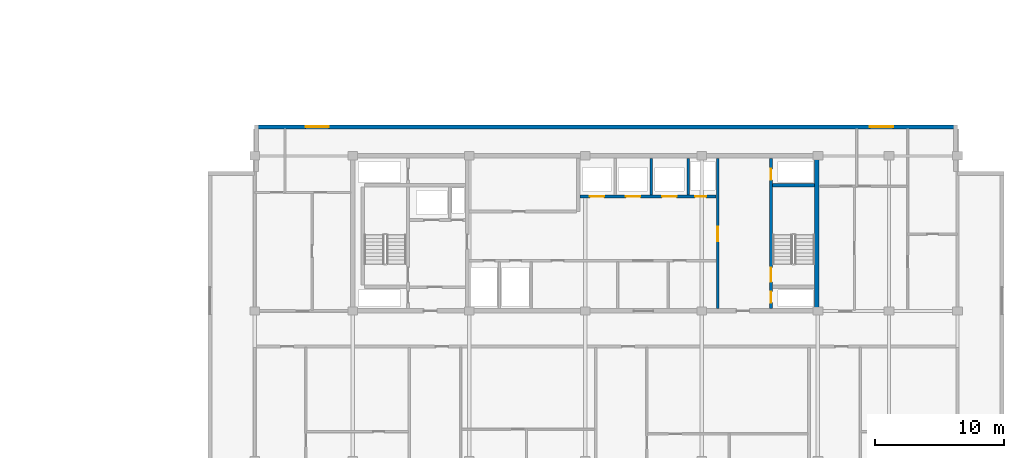
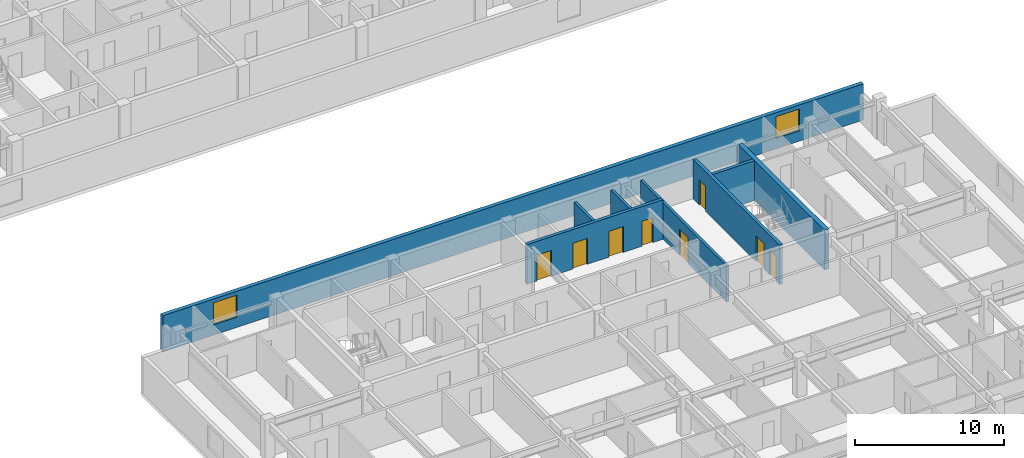
# One storey, part 7 of 21: 8 doors, 8 walls, 2 windows, 10 openings.
"""IFC4 building model written with IfcOpenShell, lengths in metres."""

from ifc_helpers import new_model, si_unit, direction, frame, frame_2d, origin, place, context, subcontext, project, spatial, rectangle, extrude, material, layer, layer_set, type_object, element, fill, save


model = new_model("IFC4")

# Units and contexts
model_context = context("Model", 3, precision=1e-05, world=origin(), true_north=direction((0.0, 1.0)))
body_context = subcontext(model_context, "Body", "Model", "MODEL_VIEW")
ifc_project = project(units=[si_unit("LENGTHUNIT", "METRE"), si_unit("AREAUNIT", "SQUARE_METRE"), si_unit("VOLUMEUNIT", "CUBIC_METRE"), si_unit("PLANEANGLEUNIT", "RADIAN"), si_unit("MASSUNIT", "GRAM", prefix="KILO")], contexts=[model_context])

# Site, building, storey
site_placement = place(None, origin())
site = spatial("IfcSite", under=ifc_project, at=site_placement, CompositionType="ELEMENT")
building_placement = place(site_placement, origin())
building = spatial("IfcBuilding", under=site, at=building_placement, Name="Korimba Cascade Residences", CompositionType="ELEMENT")
storey_placement = place(building_placement, frame((0.0, 0.0, 184.85009765625)))
storey = spatial("IfcBuildingStorey", under=building, at=storey_placement, Name="L53", CompositionType="ELEMENT", Elevation=184.85009765625)

# Wall, openings, windows
ifc_material_1 = material(Name="Precast concrete C40/50", Category="concrete")
ifc_layer_1 = layer(ifc_material_1, 0.300048828125)
ifc_layer_set_1 = layer_set([ifc_layer_1], Name="Precast concrete C40/50")
wall_type_1 = type_object("IfcWallType", Name="EW-STONE-300", PredefinedType="STANDARD", material=ifc_layer_set_1)
wall_1_placement = place(storey_placement, frame((128.89990234375, 32.64990234375, 0.0), z_axis=(0.0, 0.0, 1.0), x_axis=(-1.0, 0.0, 0.0)))
wall_1 = element("IfcWall", 1, at=wall_1_placement, inside=storey, type_object=wall_type_1, Name="L53 T2 Perimeter Stone Wall E06", PredefinedType="STANDARD", context=body_context, shape_type="SweptSolid", body=[
    extrude(rectangle(XDim=54.39990234375, YDim=0.300048828125, at=frame_2d((27.199951171875, 0.0))), origin(), (0.0, 0.0, 1.0), 2.969970703125),
])
opening_1_placement = place(wall_1_placement, frame((48.64990234375, 0.0, 0.85009765625)))
opening_1 = element("IfcOpeningElement", 2, at=opening_1_placement, cuts=wall_1, Name="Opening W-02", PredefinedType="OPENING", context=body_context, shape_type="SweptSolid", body=[
    extrude(rectangle(XDim=1.800048828125, YDim=1.800048828125, at=frame_2d((0.89990234375, 0.89990234375))), frame((0.0, 0.16015625, 0.0), z_axis=(0.0, -1.0, 0.0), x_axis=(1.0, 0.0, 0.0)), (0.0, 0.0, 1.0), 0.320068359375),
])
opening_2_placement = place(wall_1_placement, frame((4.97509765625, 0.0, 0.85009765625)))
opening_2 = element("IfcOpeningElement", 3, at=opening_2_placement, cuts=wall_1, Name="Opening W-02", PredefinedType="OPENING", context=body_context, shape_type="SweptSolid", body=[
    extrude(rectangle(XDim=1.800048828125, YDim=1.800048828125, at=frame_2d((0.89990234375, 0.89990234375))), frame((0.0, 0.16015625, 0.0), z_axis=(0.0, -1.0, 0.0), x_axis=(1.0, 0.0, 0.0)), (0.0, 0.0, 1.0), 0.320068359375),
])
ifc_material_2 = material(Name="Double-Glazed Aluminium Window", Category="aluminium")
window_type = type_object("IfcWindowType", Name="WIN-BED-1800", PartitioningType="SINGLE_PANEL", PredefinedType="WINDOW", material=ifc_material_2)
window_1_placement = place(opening_1_placement, origin())
window_1 = element("IfcWindow", 4, at=window_1_placement, inside=storey, type_object=window_type, Name="L53 T2 North Corner Bedroom Window 1", OverallHeight=1.800048828125, OverallWidth=1.800048828125, PartitioningType="SINGLE_PANEL", PredefinedType="WINDOW", context=body_context, shape_type="SweptSolid", body=[
    extrude(rectangle(XDim=1.800048828125, YDim=1.800048828125, at=frame_2d((0.89990234375, 0.89990234375))), frame((0.0, 0.030029296875, 0.0), z_axis=(0.0, -1.0, 0.0), x_axis=(1.0, 0.0, 0.0)), (0.0, 0.0, 1.0), 0.06005859375),
])
fill(opening_1, window_1)
window_2_placement = place(opening_2_placement, origin())
window_2 = element("IfcWindow", 5, at=window_2_placement, inside=storey, type_object=window_type, Name="L53 T2 North Corner Bedroom Window 2", OverallHeight=1.800048828125, OverallWidth=1.800048828125, PartitioningType="SINGLE_PANEL", PredefinedType="WINDOW", context=body_context, shape_type="SweptSolid", body=[
    extrude(rectangle(XDim=1.800048828125, YDim=1.800048828125, at=frame_2d((0.89990234375, 0.89990234375))), frame((0.0, 0.030029296875, 0.0), z_axis=(0.0, -1.0, 0.0), x_axis=(1.0, 0.0, 0.0)), (0.0, 0.0, 1.0), 0.06005859375),
])
fill(opening_2, window_2)

# Walls
ifc_material_3 = material(Name="Concrete C65/80", Category="concrete")
ifc_layer_2 = layer(ifc_material_3, 0.35009765625)
ifc_layer_set_2 = layer_set([ifc_layer_2], Name="Concrete C65/80")
wall_type_2 = type_object("IfcWallType", Name="WAL-CORE-350", PredefinedType="SHEAR", material=ifc_layer_set_2)
wall_2_placement = place(storey_placement, frame((118.014892578125, 18.574951171875, 0.0), z_axis=(0.0, 0.0, 1.0), x_axis=(0.0, 1.0, 0.0)))
element("IfcWall", 6, at=wall_2_placement, inside=storey, type_object=wall_type_2, Name="L53 Core Shear Wall CW-L53-T2-E", PredefinedType="SHEAR", context=body_context, shape_type="SweptSolid", body=[
    extrude(rectangle(XDim=11.650146484375, YDim=0.35009765625, at=frame_2d((5.8251953125, 0.0))), origin(), (0.0, 0.0, 1.0), 3.25),
])
ifc_material_4 = material(Name="Concrete C40/50", Category="concrete")
ifc_layer_3 = layer(ifc_material_4, 0.199951171875)
ifc_layer_set_3 = layer_set([ifc_layer_3], Name="Concrete C40/50")
wall_type_3 = type_object("IfcWallType", Name="WAL-PART-200", PredefinedType="PARTITIONING", material=ifc_layer_set_3)
for number, where, z_axis, x_axis, name in (
    (7, (105.199951171875, 27.3798828125, 0.0), (0.0, 0.0, 1.0), (0.0, 1.0, 0.0), "L53 Partition Wall CW-L53-T2-B2D2"),
    (8, (108.050048828125, 27.3798828125, 0.0), (0.0, 0.0, 1.0), (0.0, 1.0, 0.0), "L53 Partition Wall CW-L53-T2-B2D3"),
):
    element("IfcWall", number, at=place(storey_placement, frame(where, z_axis=z_axis, x_axis=x_axis)), inside=storey, type_object=wall_type_3, Name=name, PredefinedType="PARTITIONING", context=body_context, shape_type="SweptSolid", body=[
        extrude(rectangle(XDim=2.820068359375, YDim=0.199951171875, at=frame_2d((1.41015625, 0.0))), origin(), (0.0, 0.0, 1.0), 2.969970703125),
    ])

# Wall, opening, door
wall_3_placement = place(storey_placement, frame((110.35009765625, 18.60009765625, 0.0), z_axis=(0.0, 0.0, 1.0), x_axis=(0.0, 1.0, 0.0)))
wall_3 = element("IfcWall", 9, at=wall_3_placement, inside=storey, type_object=wall_type_3, Name="L53 Partition Wall CW-L53-T2-LLEV", PredefinedType="PARTITIONING", context=body_context, shape_type="SweptSolid", body=[
    extrude(rectangle(XDim=11.599853515625, YDim=0.199951171875, at=frame_2d((5.7998046875, 0.0))), origin(), (0.0, 0.0, 1.0), 2.969970703125),
])
opening_3_placement = place(wall_3_placement, frame((5.199951171875, 0.0, 0.0)))
opening_3 = element("IfcOpeningElement", 10, at=opening_3_placement, cuts=wall_3, Name="Opening D-FD6", PredefinedType="OPENING", context=body_context, shape_type="SweptSolid", body=[
    extrude(rectangle(XDim=1.10009765625, YDim=2.14990234375, at=frame_2d((0.550048828125, 1.074951171875))), frame((0.0, 0.10986328125, 0.0), z_axis=(0.0, -1.0, 0.0), x_axis=(1.0, 0.0, 0.0)), (0.0, 0.0, 1.0), 0.219970703125),
])
ifc_material_5 = material(Name="Fire-Rated Timber Stair Lobby Door", Category="wood")
door_type_1 = type_object("IfcDoorType", Name="DR-FD90-1100", OperationType="NOTDEFINED", PredefinedType="DOOR", material=ifc_material_5)
door_1_placement = place(opening_3_placement, origin())
door_1 = element("IfcDoor", 11, at=door_1_placement, inside=storey, type_object=door_type_1, Name="L53 T2 Lift Lobby to East Stair Lobby Door", OperationType="SINGLE_SWING_RIGHT", OverallHeight=2.14990234375, OverallWidth=1.10009765625, PredefinedType="DOOR", context=body_context, shape_type="SweptSolid", body=[
    extrude(rectangle(XDim=1.10009765625, YDim=2.14990234375, at=frame_2d((0.550048828125, 1.074951171875))), frame((0.0, 0.02490234375, 0.0), z_axis=(0.0, -1.0, 0.0), x_axis=(1.0, 0.0, 0.0)), (0.0, 0.0, 1.0), 0.050048828125),
])
fill(opening_3, door_1)

# Wall, openings, doors
ifc_material_6 = material(Name="Concrete C50/60", Category="concrete")
ifc_layer_4 = layer(ifc_material_6, 0.25)
ifc_layer_set_4 = layer_set([ifc_layer_4], Name="Concrete C50/60")
wall_type_4 = type_object("IfcWallType", Name="WAL-SHAFT-250", PredefinedType="SHEAR", material=ifc_layer_set_4)
wall_4_placement = place(storey_placement, frame((99.679931640625, 27.25, 0.0), z_axis=(0.0, 0.0, 1.0), x_axis=(1.0, 0.0, 0.0)))
wall_4 = element("IfcWall", 12, at=wall_4_placement, inside=storey, type_object=wall_type_4, Name="L53 Core Shear Wall CW-L53-T2-B2S", PredefinedType="SHEAR", context=body_context, shape_type="SweptSolid", body=[
    extrude(rectangle(XDim=10.5400390625, YDim=0.25, at=frame_2d((5.27001953125, 0.0))), origin(), (0.0, 0.0, 1.0), 3.25),
])
opening_4_placement = place(wall_4_placement, frame((0.760009765625, 0.0, 0.0)))
opening_4 = element("IfcOpeningElement", 13, at=opening_4_placement, cuts=wall_4, Name="Opening LD-01", PredefinedType="OPENING", context=body_context, shape_type="SweptSolid", body=[
    extrude(rectangle(XDim=1.1201171875, YDim=2.1201171875, at=frame_2d((0.56005859375, 1.06005859375))), frame((0.0, 0.135009765625, 0.0), z_axis=(0.0, -1.0, 0.0), x_axis=(1.0, 0.0, 0.0)), (0.0, 0.0, 1.0), 0.27001953125),
])
opening_5_placement = place(wall_4_placement, frame((3.56005859375, 0.0, 0.0)))
opening_5 = element("IfcOpeningElement", 14, at=opening_5_placement, cuts=wall_4, Name="Opening LD-01", PredefinedType="OPENING", context=body_context, shape_type="SweptSolid", body=[
    extrude(rectangle(XDim=1.1201171875, YDim=2.1201171875, at=frame_2d((0.56005859375, 1.06005859375))), frame((0.0, 0.135009765625, 0.0), z_axis=(0.0, -1.0, 0.0), x_axis=(1.0, 0.0, 0.0)), (0.0, 0.0, 1.0), 0.27001953125),
])
opening_6_placement = place(wall_4_placement, frame((6.360107421875, 0.0, 0.0)))
opening_6 = element("IfcOpeningElement", 15, at=opening_6_placement, cuts=wall_4, Name="Opening LD-01", PredefinedType="OPENING", context=body_context, shape_type="SweptSolid", body=[
    extrude(rectangle(XDim=1.1201171875, YDim=2.1201171875, at=frame_2d((0.56005859375, 1.06005859375))), frame((0.0, 0.135009765625, 0.0), z_axis=(0.0, -1.0, 0.0), x_axis=(1.0, 0.0, 0.0)), (0.0, 0.0, 1.0), 0.27001953125),
])
opening_7_placement = place(wall_4_placement, frame((8.919921875, 0.0, 0.0)))
opening_7 = element("IfcOpeningElement", 16, at=opening_7_placement, cuts=wall_4, Name="Opening D-RS1", PredefinedType="OPENING", context=body_context, shape_type="SweptSolid", body=[
    extrude(rectangle(XDim=0.85009765625, YDim=2.050048828125, at=frame_2d((0.425048828125, 1.02490234375))), frame((0.0, 0.135009765625, 0.0), z_axis=(0.0, -1.0, 0.0), x_axis=(1.0, 0.0, 0.0)), (0.0, 0.0, 1.0), 0.27001953125),
])
ifc_material_7 = material(Name="Fire-Rated Steel Riser Access Door", Category="steel")
door_type_2 = type_object("IfcDoorType", Name="DR-FD60-850", OperationType="NOTDEFINED", PredefinedType="DOOR", material=ifc_material_7)
door_2_placement = place(opening_7_placement, origin())
door_2 = element("IfcDoor", 17, at=door_2_placement, inside=storey, type_object=door_type_2, Name="L53 T2 Duct Door", OperationType="SINGLE_SWING_LEFT", OverallHeight=2.050048828125, OverallWidth=0.85009765625, PredefinedType="DOOR", context=body_context, shape_type="SweptSolid", body=[
    extrude(rectangle(XDim=0.85009765625, YDim=2.050048828125, at=frame_2d((0.425048828125, 1.02490234375))), frame((0.0, 0.02490234375, 0.0), z_axis=(0.0, -1.0, 0.0), x_axis=(1.0, 0.0, 0.0)), (0.0, 0.0, 1.0), 0.050048828125),
])
fill(opening_7, door_2)
ifc_material_8 = material(Name="Stainless Steel Lift Landing Sliding Door", Category="steel")
door_type_3 = type_object("IfcDoorType", Name="DR-LIFT-1100", OperationType="NOTDEFINED", PredefinedType="DOOR", material=ifc_material_8)
door_3_placement = place(opening_4_placement, origin())
door_3 = element("IfcDoor", 18, at=door_3_placement, inside=storey, type_object=door_type_3, Name="L53 Lift Landing Door PL-E4", OperationType="SLIDING_TO_RIGHT", OverallHeight=2.1201171875, OverallWidth=1.1201171875, PredefinedType="DOOR", context=body_context, shape_type="SweptSolid", body=[
    extrude(rectangle(XDim=1.1201171875, YDim=2.1201171875, at=frame_2d((0.56005859375, 1.06005859375))), frame((0.0, 0.02490234375, 0.0), z_axis=(0.0, -1.0, 0.0), x_axis=(1.0, 0.0, 0.0)), (0.0, 0.0, 1.0), 0.050048828125),
])
fill(opening_4, door_3)
door_4_placement = place(opening_5_placement, origin())
door_4 = element("IfcDoor", 19, at=door_4_placement, inside=storey, type_object=door_type_3, Name="L53 Lift Landing Door PL-E5", OperationType="SLIDING_TO_RIGHT", OverallHeight=2.1201171875, OverallWidth=1.1201171875, PredefinedType="DOOR", context=body_context, shape_type="SweptSolid", body=[
    extrude(rectangle(XDim=1.1201171875, YDim=2.1201171875, at=frame_2d((0.56005859375, 1.06005859375))), frame((0.0, 0.02490234375, 0.0), z_axis=(0.0, -1.0, 0.0), x_axis=(1.0, 0.0, 0.0)), (0.0, 0.0, 1.0), 0.050048828125),
])
fill(opening_5, door_4)
door_5_placement = place(opening_6_placement, origin())
door_5 = element("IfcDoor", 20, at=door_5_placement, inside=storey, type_object=door_type_3, Name="L53 Lift Landing Door PL-E6", OperationType="SLIDING_TO_RIGHT", OverallHeight=2.1201171875, OverallWidth=1.1201171875, PredefinedType="DOOR", context=body_context, shape_type="SweptSolid", body=[
    extrude(rectangle(XDim=1.1201171875, YDim=2.1201171875, at=frame_2d((0.56005859375, 1.06005859375))), frame((0.0, 0.02490234375, 0.0), z_axis=(0.0, -1.0, 0.0), x_axis=(1.0, 0.0, 0.0)), (0.0, 0.0, 1.0), 0.050048828125),
])
fill(opening_6, door_5)

wall_5_placement = place(storey_placement, frame((114.47509765625, 18.60009765625, 0.0), z_axis=(0.0, 0.0, 1.0), x_axis=(0.0, 1.0, 0.0)))
wall_5 = element("IfcWall", 21, at=wall_5_placement, inside=storey, type_object=wall_type_4, Name="L53 Core Shear Wall CW-L53-T2-STE2W", PredefinedType="SHEAR", context=body_context, shape_type="SweptSolid", body=[
    extrude(rectangle(XDim=11.599853515625, YDim=0.25, at=frame_2d((5.7998046875, 0.0))), origin(), (0.0, 0.0, 1.0), 3.25),
])
opening_8_placement = place(wall_5_placement, frame((0.449951171875, 0.0, 0.0)))
opening_8 = element("IfcOpeningElement", 22, at=opening_8_placement, cuts=wall_5, Name="Opening D-RS1", PredefinedType="OPENING", context=body_context, shape_type="SweptSolid", body=[
    extrude(rectangle(XDim=0.85009765625, YDim=2.050048828125, at=frame_2d((0.425048828125, 1.02490234375))), frame((0.0, 0.135009765625, 0.0), z_axis=(0.0, -1.0, 0.0), x_axis=(1.0, 0.0, 0.0)), (0.0, 0.0, 1.0), 0.27001953125),
])
opening_9_placement = place(wall_5_placement, frame((2.050048828125, 0.0, 0.0)))
opening_9 = element("IfcOpeningElement", 23, at=opening_9_placement, cuts=wall_5, Name="Opening D-FD1", PredefinedType="OPENING", context=body_context, shape_type="SweptSolid", body=[
    extrude(rectangle(XDim=1.10009765625, YDim=2.10009765625, at=frame_2d((0.550048828125, 1.050048828125))), frame((0.0, 0.135009765625, 0.0), z_axis=(0.0, -1.0, 0.0), x_axis=(1.0, 0.0, 0.0)), (0.0, 0.0, 1.0), 0.27001953125),
])
opening_10_placement = place(wall_5_placement, frame((9.949951171875, 0.0, 0.0)))
opening_10 = element("IfcOpeningElement", 24, at=opening_10_placement, cuts=wall_5, Name="Opening D-RS1", PredefinedType="OPENING", context=body_context, shape_type="SweptSolid", body=[
    extrude(rectangle(XDim=0.85009765625, YDim=2.050048828125, at=frame_2d((0.425048828125, 1.02490234375))), frame((0.0, 0.135009765625, 0.0), z_axis=(0.0, -1.0, 0.0), x_axis=(1.0, 0.0, 0.0)), (0.0, 0.0, 1.0), 0.27001953125),
])
ifc_material_9 = material(Name="Fire-Rated Steel Core Door", Category="steel")
door_type_4 = type_object("IfcDoorType", Name="DR-FD120-1100", OperationType="NOTDEFINED", PredefinedType="DOOR", material=ifc_material_9)
door_6_placement = place(opening_9_placement, origin())
door_6 = element("IfcDoor", 25, at=door_6_placement, inside=storey, type_object=door_type_4, Name="L53 Fire Stair ST-E2 Door", OperationType="SINGLE_SWING_RIGHT", OverallHeight=2.10009765625, OverallWidth=1.10009765625, PredefinedType="DOOR", context=body_context, shape_type="SweptSolid", body=[
    extrude(rectangle(XDim=1.10009765625, YDim=2.10009765625, at=frame_2d((0.550048828125, 1.050048828125))), frame((0.0, 0.02490234375, 0.0), z_axis=(0.0, -1.0, 0.0), x_axis=(1.0, 0.0, 0.0)), (0.0, 0.0, 1.0), 0.050048828125),
])
fill(opening_9, door_6)
door_7_placement = place(opening_8_placement, origin())
door_7 = element("IfcDoor", 26, at=door_7_placement, inside=storey, type_object=door_type_2, Name="L53 T2 East Hydrant Door", OperationType="SINGLE_SWING_LEFT", OverallHeight=2.050048828125, OverallWidth=0.85009765625, PredefinedType="DOOR", context=body_context, shape_type="SweptSolid", body=[
    extrude(rectangle(XDim=0.85009765625, YDim=2.050048828125, at=frame_2d((0.425048828125, 1.02490234375))), frame((0.0, 0.02490234375, 0.0), z_axis=(0.0, -1.0, 0.0), x_axis=(1.0, 0.0, 0.0)), (0.0, 0.0, 1.0), 0.050048828125),
])
fill(opening_8, door_7)
door_8_placement = place(opening_10_placement, origin())
door_8 = element("IfcDoor", 27, at=door_8_placement, inside=storey, type_object=door_type_2, Name="L53 T2 East Riser Door", OperationType="SINGLE_SWING_LEFT", OverallHeight=2.050048828125, OverallWidth=0.85009765625, PredefinedType="DOOR", context=body_context, shape_type="SweptSolid", body=[
    extrude(rectangle(XDim=0.85009765625, YDim=2.050048828125, at=frame_2d((0.425048828125, 1.02490234375))), frame((0.0, 0.02490234375, 0.0), z_axis=(0.0, -1.0, 0.0), x_axis=(1.0, 0.0, 0.0)), (0.0, 0.0, 1.0), 0.050048828125),
])
fill(opening_10, door_8)

# Wall
wall_6_placement = place(storey_placement, frame((114.60009765625, 28.125, 0.0), z_axis=(0.0, 0.0, 1.0), x_axis=(1.0, 0.0, 0.0)))
element("IfcWall", 28, at=wall_6_placement, inside=storey, type_object=wall_type_4, Name="L53 Core Shear Wall CW-L53-T2-STE2N", PredefinedType="SHEAR", context=body_context, shape_type="SweptSolid", body=[
    extrude(rectangle(XDim=3.239990234375, YDim=0.25, at=frame_2d((1.6201171875, 0.0))), origin(), (0.0, 0.0, 1.0), 3.25),
])

save(model, "model.ifc")
